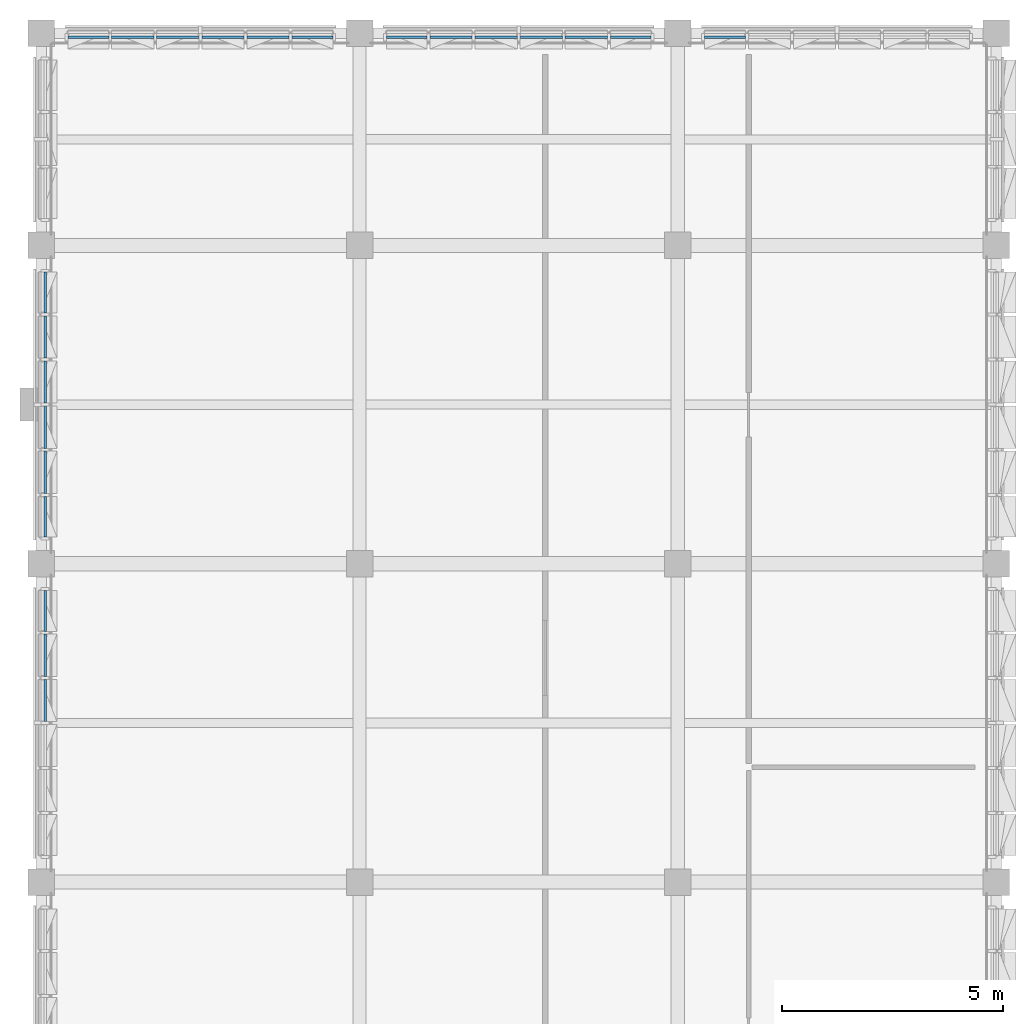
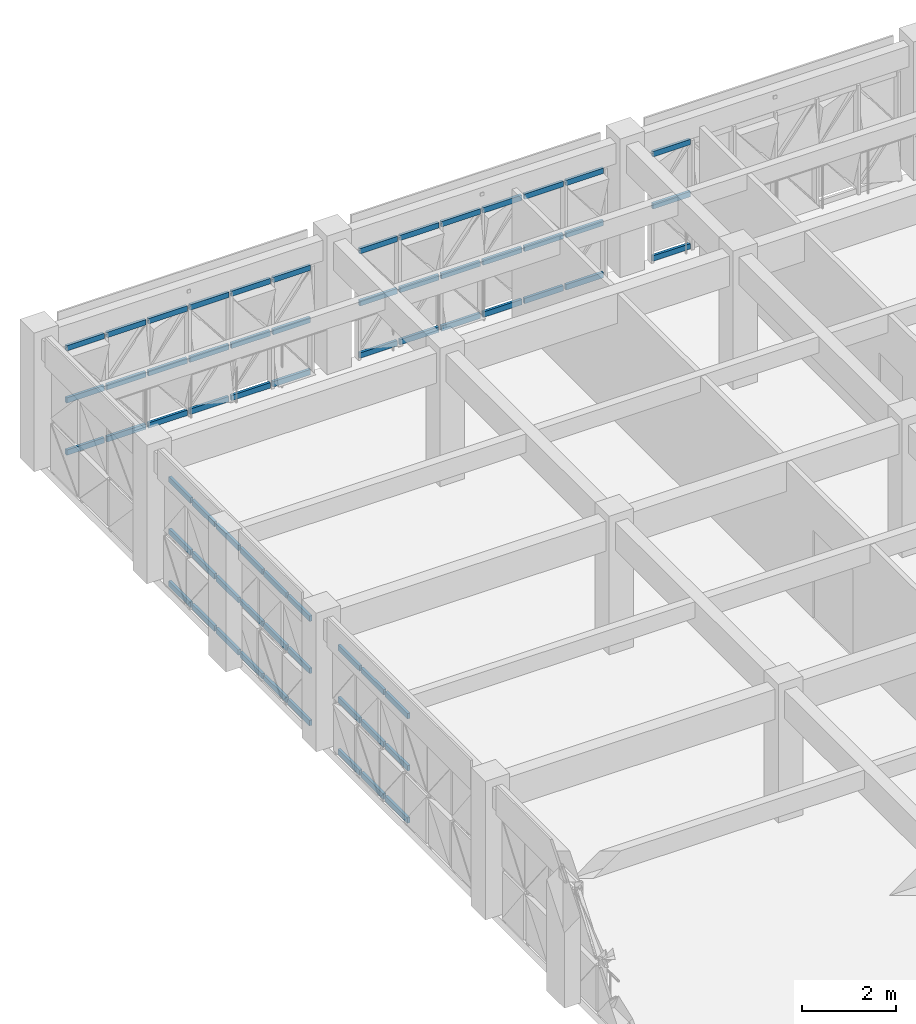
# One storey, part 30 of 99: 66 members, 5 elements without a shape of their own.
"""IFC4 building model written with IfcOpenShell, lengths in metres."""

from ifc_helpers import new_model, si_unit, direction, frame, origin, origin_2d, place, context, subcontext, project, spatial, rectangle, extrude, material, material_profile, profile_set, type_object, element, aggregate, save


model = new_model("IFC4")

# Units and contexts
model_context = context("Model", 3, precision=1e-05, world=origin(), true_north=direction((0.0, 1.0)))
body_context = subcontext(model_context, "Body", "Model", "MODEL_VIEW")
ifc_project = project(units=[si_unit("LENGTHUNIT", "METRE"), si_unit("AREAUNIT", "SQUARE_METRE"), si_unit("VOLUMEUNIT", "CUBIC_METRE"), si_unit("PLANEANGLEUNIT", "RADIAN"), si_unit("MASSUNIT", "GRAM", prefix="KILO")], contexts=[model_context])

# Site, building, storey
site_placement = place(None, origin())
site = spatial("IfcSite", under=ifc_project, at=site_placement, CompositionType="ELEMENT")
building_placement = place(site_placement, origin())
building = spatial("IfcBuilding", under=site, at=building_placement, Name="Alvorim Cloister Faculty of Sciences", CompositionType="ELEMENT")
storey_placement = place(building_placement, frame((0.0, 0.0, 12.14990234375)))
storey = spatial("IfcBuildingStorey", under=building, at=storey_placement, Name="L03", CompositionType="ELEMENT", Elevation=12.14990234375)

# Curtain wall, members
ifc_material_1 = material(Name="Aluminium and Low-E Glass Curtain Wall", Category="aluminium")
curtain_wall_type = type_object("IfcCurtainWallType", Name="CW-TRI-6120x2850", PredefinedType="USERDEFINED", material=ifc_material_1)
curtain_wall_1_placement = place(storey_placement, origin())
curtain_wall_1 = element("IfcCurtainWall", 1, at=curtain_wall_1_placement, inside=storey, type_object=curtain_wall_type, Name="L03 Diagonal Cassette Curtain Wall CW-0111", ObjectType="UNITISED CURTAIN WALL", PredefinedType="USERDEFINED")
ifc_material_2 = material(Name="Aluminium Alloy 6063-T6", Category="aluminium")
ifc_material_profile = material_profile(ifc_material_2, rectangle(XDim=0.06494140625, YDim=0.139892578125, at=origin_2d()), Name="ALU-TRN-65x140")
ifc_profile_set = profile_set([ifc_material_profile], Name="Aluminium Alloy 6063-T6")
member_type = type_object("IfcMemberType", Name="CW-TRN-65x140", PredefinedType="USERDEFINED", material=ifc_profile_set)
member_1_placement = place(storey_placement, frame((0.090087890625, 96.032470703125, 0.070068359375), z_axis=(0.0, 1.0, 0.0), x_axis=(-1.0, 0.0, 0.0)))
member_1 = element("IfcMember", 2, at=member_1_placement, type_object=member_type, Name="CW-0111 Transom 4.1", ObjectType="TRANSOM", PredefinedType="USERDEFINED", context=body_context, shape_type="SweptSolid", body=[
    extrude(rectangle(XDim=0.06494140625, YDim=0.139892578125, at=origin_2d()), origin(), (0.0, 0.0, 1.0), 0.955078125),
])
member_2_placement = place(storey_placement, frame((0.090087890625, 96.032470703125, 1.425048828125), z_axis=(0.0, 1.0, 0.0), x_axis=(-1.0, 0.0, 0.0)))
member_2 = element("IfcMember", 3, at=member_2_placement, type_object=member_type, Name="CW-0111 Transom 4.2", ObjectType="TRANSOM", PredefinedType="USERDEFINED", context=body_context, shape_type="SweptSolid", body=[
    extrude(rectangle(XDim=0.06494140625, YDim=0.139892578125, at=origin_2d()), origin(), (0.0, 0.0, 1.0), 0.955078125),
])
member_3_placement = place(storey_placement, frame((0.090087890625, 96.032470703125, 2.780029296875), z_axis=(0.0, 1.0, 0.0), x_axis=(-1.0, 0.0, 0.0)))
member_3 = element("IfcMember", 4, at=member_3_placement, type_object=member_type, Name="CW-0111 Transom 4.3", ObjectType="TRANSOM", PredefinedType="USERDEFINED", context=body_context, shape_type="SweptSolid", body=[
    extrude(rectangle(XDim=0.06494140625, YDim=0.139892578125, at=origin_2d()), origin(), (0.0, 0.0, 1.0), 0.955078125),
])
member_4_placement = place(storey_placement, frame((0.090087890625, 97.052490234375, 0.070068359375), z_axis=(0.0, 1.0, 0.0), x_axis=(-1.0, 0.0, 0.0)))
member_4 = element("IfcMember", 5, at=member_4_placement, type_object=member_type, Name="CW-0111 Transom 5.1", ObjectType="TRANSOM", PredefinedType="USERDEFINED", context=body_context, shape_type="SweptSolid", body=[
    extrude(rectangle(XDim=0.06494140625, YDim=0.139892578125, at=origin_2d()), origin(), (0.0, 0.0, 1.0), 0.955078125),
])
member_5_placement = place(storey_placement, frame((0.090087890625, 97.052490234375, 1.425048828125), z_axis=(0.0, 1.0, 0.0), x_axis=(-1.0, 0.0, 0.0)))
member_5 = element("IfcMember", 6, at=member_5_placement, type_object=member_type, Name="CW-0111 Transom 5.2", ObjectType="TRANSOM", PredefinedType="USERDEFINED", context=body_context, shape_type="SweptSolid", body=[
    extrude(rectangle(XDim=0.06494140625, YDim=0.139892578125, at=origin_2d()), origin(), (0.0, 0.0, 1.0), 0.955078125),
])
member_6_placement = place(storey_placement, frame((0.090087890625, 97.052490234375, 2.780029296875), z_axis=(0.0, 1.0, 0.0), x_axis=(-1.0, 0.0, 0.0)))
member_6 = element("IfcMember", 7, at=member_6_placement, type_object=member_type, Name="CW-0111 Transom 5.3", ObjectType="TRANSOM", PredefinedType="USERDEFINED", context=body_context, shape_type="SweptSolid", body=[
    extrude(rectangle(XDim=0.06494140625, YDim=0.139892578125, at=origin_2d()), origin(), (0.0, 0.0, 1.0), 0.955078125),
])
member_7_placement = place(storey_placement, frame((0.090087890625, 98.072509765625, 0.070068359375), z_axis=(0.0, 1.0, 0.0), x_axis=(-1.0, 0.0, 0.0)))
member_7 = element("IfcMember", 8, at=member_7_placement, type_object=member_type, Name="CW-0111 Transom 6.1", ObjectType="TRANSOM", PredefinedType="USERDEFINED", context=body_context, shape_type="SweptSolid", body=[
    extrude(rectangle(XDim=0.06494140625, YDim=0.139892578125, at=origin_2d()), origin(), (0.0, 0.0, 1.0), 0.922607421875),
])
member_8_placement = place(storey_placement, frame((0.090087890625, 98.072509765625, 1.425048828125), z_axis=(0.0, 1.0, 0.0), x_axis=(-1.0, 0.0, 0.0)))
member_8 = element("IfcMember", 9, at=member_8_placement, type_object=member_type, Name="CW-0111 Transom 6.2", ObjectType="TRANSOM", PredefinedType="USERDEFINED", context=body_context, shape_type="SweptSolid", body=[
    extrude(rectangle(XDim=0.06494140625, YDim=0.139892578125, at=origin_2d()), origin(), (0.0, 0.0, 1.0), 0.922607421875),
])
member_9_placement = place(storey_placement, frame((0.090087890625, 98.072509765625, 2.780029296875), z_axis=(0.0, 1.0, 0.0), x_axis=(-1.0, 0.0, 0.0)))
member_9 = element("IfcMember", 10, at=member_9_placement, type_object=member_type, Name="CW-0111 Transom 6.3", ObjectType="TRANSOM", PredefinedType="USERDEFINED", context=body_context, shape_type="SweptSolid", body=[
    extrude(rectangle(XDim=0.06494140625, YDim=0.139892578125, at=origin_2d()), origin(), (0.0, 0.0, 1.0), 0.922607421875),
])
aggregate(curtain_wall_1, [member_1, member_2, member_3, member_4, member_5, member_6, member_7, member_8, member_9])

curtain_wall_2_placement = place(storey_placement, origin())
curtain_wall_2 = element("IfcCurtainWall", 11, at=curtain_wall_2_placement, inside=storey, type_object=curtain_wall_type, Name="L03 Diagonal Cassette Curtain Wall CW-0112", ObjectType="UNITISED CURTAIN WALL", PredefinedType="USERDEFINED")
member_10_placement = place(storey_placement, frame((0.090087890625, 100.205078125, 0.070068359375), z_axis=(0.0, 1.0, 0.0), x_axis=(-1.0, 0.0, 0.0)))
member_10 = element("IfcMember", 12, at=member_10_placement, type_object=member_type, Name="CW-0112 Transom 1.1", ObjectType="TRANSOM", PredefinedType="USERDEFINED", context=body_context, shape_type="SweptSolid", body=[
    extrude(rectangle(XDim=0.06494140625, YDim=0.139892578125, at=origin_2d()), origin(), (0.0, 0.0, 1.0), 0.92236328125),
])
member_11_placement = place(storey_placement, frame((0.090087890625, 100.205078125, 1.425048828125), z_axis=(0.0, 1.0, 0.0), x_axis=(-1.0, 0.0, 0.0)))
member_11 = element("IfcMember", 13, at=member_11_placement, type_object=member_type, Name="CW-0112 Transom 1.2", ObjectType="TRANSOM", PredefinedType="USERDEFINED", context=body_context, shape_type="SweptSolid", body=[
    extrude(rectangle(XDim=0.06494140625, YDim=0.139892578125, at=origin_2d()), origin(), (0.0, 0.0, 1.0), 0.92236328125),
])
member_12_placement = place(storey_placement, frame((0.090087890625, 100.205078125, 2.780029296875), z_axis=(0.0, 1.0, 0.0), x_axis=(-1.0, 0.0, 0.0)))
member_12 = element("IfcMember", 14, at=member_12_placement, type_object=member_type, Name="CW-0112 Transom 1.3", ObjectType="TRANSOM", PredefinedType="USERDEFINED", context=body_context, shape_type="SweptSolid", body=[
    extrude(rectangle(XDim=0.06494140625, YDim=0.139892578125, at=origin_2d()), origin(), (0.0, 0.0, 1.0), 0.92236328125),
])
member_13_placement = place(storey_placement, frame((0.090087890625, 101.1923828125, 0.070068359375), z_axis=(0.0, 1.0, 0.0), x_axis=(-1.0, 0.0, 0.0)))
member_13 = element("IfcMember", 15, at=member_13_placement, type_object=member_type, Name="CW-0112 Transom 2.1", ObjectType="TRANSOM", PredefinedType="USERDEFINED", context=body_context, shape_type="SweptSolid", body=[
    extrude(rectangle(XDim=0.06494140625, YDim=0.139892578125, at=origin_2d()), origin(), (0.0, 0.0, 1.0), 0.955078125),
])
member_14_placement = place(storey_placement, frame((0.090087890625, 101.1923828125, 1.425048828125), z_axis=(0.0, 1.0, 0.0), x_axis=(-1.0, 0.0, 0.0)))
member_14 = element("IfcMember", 16, at=member_14_placement, type_object=member_type, Name="CW-0112 Transom 2.2", ObjectType="TRANSOM", PredefinedType="USERDEFINED", context=body_context, shape_type="SweptSolid", body=[
    extrude(rectangle(XDim=0.06494140625, YDim=0.139892578125, at=origin_2d()), origin(), (0.0, 0.0, 1.0), 0.955078125),
])
member_15_placement = place(storey_placement, frame((0.090087890625, 101.1923828125, 2.780029296875), z_axis=(0.0, 1.0, 0.0), x_axis=(-1.0, 0.0, 0.0)))
member_15 = element("IfcMember", 17, at=member_15_placement, type_object=member_type, Name="CW-0112 Transom 2.3", ObjectType="TRANSOM", PredefinedType="USERDEFINED", context=body_context, shape_type="SweptSolid", body=[
    extrude(rectangle(XDim=0.06494140625, YDim=0.139892578125, at=origin_2d()), origin(), (0.0, 0.0, 1.0), 0.955078125),
])
member_16_placement = place(storey_placement, frame((0.090087890625, 102.21240234375, 0.070068359375), z_axis=(0.0, 1.0, 0.0), x_axis=(-1.0, 0.0, 0.0)))
member_16 = element("IfcMember", 18, at=member_16_placement, type_object=member_type, Name="CW-0112 Transom 3.1", ObjectType="TRANSOM", PredefinedType="USERDEFINED", context=body_context, shape_type="SweptSolid", body=[
    extrude(rectangle(XDim=0.06494140625, YDim=0.139892578125, at=origin_2d()), origin(), (0.0, 0.0, 1.0), 0.955078125),
])
member_17_placement = place(storey_placement, frame((0.090087890625, 102.21240234375, 1.425048828125), z_axis=(0.0, 1.0, 0.0), x_axis=(-1.0, 0.0, 0.0)))
member_17 = element("IfcMember", 19, at=member_17_placement, type_object=member_type, Name="CW-0112 Transom 3.2", ObjectType="TRANSOM", PredefinedType="USERDEFINED", context=body_context, shape_type="SweptSolid", body=[
    extrude(rectangle(XDim=0.06494140625, YDim=0.139892578125, at=origin_2d()), origin(), (0.0, 0.0, 1.0), 0.955078125),
])
member_18_placement = place(storey_placement, frame((0.090087890625, 102.21240234375, 2.780029296875), z_axis=(0.0, 1.0, 0.0), x_axis=(-1.0, 0.0, 0.0)))
member_18 = element("IfcMember", 20, at=member_18_placement, type_object=member_type, Name="CW-0112 Transom 3.3", ObjectType="TRANSOM", PredefinedType="USERDEFINED", context=body_context, shape_type="SweptSolid", body=[
    extrude(rectangle(XDim=0.06494140625, YDim=0.139892578125, at=origin_2d()), origin(), (0.0, 0.0, 1.0), 0.955078125),
])
member_19_placement = place(storey_placement, frame((0.090087890625, 103.232421875, 0.070068359375), z_axis=(0.0, 1.0, 0.0), x_axis=(-1.0, 0.0, 0.0)))
member_19 = element("IfcMember", 21, at=member_19_placement, type_object=member_type, Name="CW-0112 Transom 4.1", ObjectType="TRANSOM", PredefinedType="USERDEFINED", context=body_context, shape_type="SweptSolid", body=[
    extrude(rectangle(XDim=0.06494140625, YDim=0.139892578125, at=origin_2d()), origin(), (0.0, 0.0, 1.0), 0.955078125),
])
member_20_placement = place(storey_placement, frame((0.090087890625, 103.232421875, 1.425048828125), z_axis=(0.0, 1.0, 0.0), x_axis=(-1.0, 0.0, 0.0)))
member_20 = element("IfcMember", 22, at=member_20_placement, type_object=member_type, Name="CW-0112 Transom 4.2", ObjectType="TRANSOM", PredefinedType="USERDEFINED", context=body_context, shape_type="SweptSolid", body=[
    extrude(rectangle(XDim=0.06494140625, YDim=0.139892578125, at=origin_2d()), origin(), (0.0, 0.0, 1.0), 0.955078125),
])
member_21_placement = place(storey_placement, frame((0.090087890625, 103.232421875, 2.780029296875), z_axis=(0.0, 1.0, 0.0), x_axis=(-1.0, 0.0, 0.0)))
member_21 = element("IfcMember", 23, at=member_21_placement, type_object=member_type, Name="CW-0112 Transom 4.3", ObjectType="TRANSOM", PredefinedType="USERDEFINED", context=body_context, shape_type="SweptSolid", body=[
    extrude(rectangle(XDim=0.06494140625, YDim=0.139892578125, at=origin_2d()), origin(), (0.0, 0.0, 1.0), 0.955078125),
])
member_22_placement = place(storey_placement, frame((0.090087890625, 104.25244140625, 0.070068359375), z_axis=(0.0, 1.0, 0.0), x_axis=(-1.0, 0.0, 0.0)))
member_22 = element("IfcMember", 24, at=member_22_placement, type_object=member_type, Name="CW-0112 Transom 5.1", ObjectType="TRANSOM", PredefinedType="USERDEFINED", context=body_context, shape_type="SweptSolid", body=[
    extrude(rectangle(XDim=0.06494140625, YDim=0.139892578125, at=origin_2d()), origin(), (0.0, 0.0, 1.0), 0.955078125),
])
member_23_placement = place(storey_placement, frame((0.090087890625, 104.25244140625, 1.425048828125), z_axis=(0.0, 1.0, 0.0), x_axis=(-1.0, 0.0, 0.0)))
member_23 = element("IfcMember", 25, at=member_23_placement, type_object=member_type, Name="CW-0112 Transom 5.2", ObjectType="TRANSOM", PredefinedType="USERDEFINED", context=body_context, shape_type="SweptSolid", body=[
    extrude(rectangle(XDim=0.06494140625, YDim=0.139892578125, at=origin_2d()), origin(), (0.0, 0.0, 1.0), 0.955078125),
])
member_24_placement = place(storey_placement, frame((0.090087890625, 104.25244140625, 2.780029296875), z_axis=(0.0, 1.0, 0.0), x_axis=(-1.0, 0.0, 0.0)))
member_24 = element("IfcMember", 26, at=member_24_placement, type_object=member_type, Name="CW-0112 Transom 5.3", ObjectType="TRANSOM", PredefinedType="USERDEFINED", context=body_context, shape_type="SweptSolid", body=[
    extrude(rectangle(XDim=0.06494140625, YDim=0.139892578125, at=origin_2d()), origin(), (0.0, 0.0, 1.0), 0.955078125),
])
member_25_placement = place(storey_placement, frame((0.090087890625, 105.2724609375, 0.070068359375), z_axis=(0.0, 1.0, 0.0), x_axis=(-1.0, 0.0, 0.0)))
member_25 = element("IfcMember", 27, at=member_25_placement, type_object=member_type, Name="CW-0112 Transom 6.1", ObjectType="TRANSOM", PredefinedType="USERDEFINED", context=body_context, shape_type="SweptSolid", body=[
    extrude(rectangle(XDim=0.06494140625, YDim=0.139892578125, at=origin_2d()), origin(), (0.0, 0.0, 1.0), 0.922607421875),
])
member_26_placement = place(storey_placement, frame((0.090087890625, 105.2724609375, 1.425048828125), z_axis=(0.0, 1.0, 0.0), x_axis=(-1.0, 0.0, 0.0)))
member_26 = element("IfcMember", 28, at=member_26_placement, type_object=member_type, Name="CW-0112 Transom 6.2", ObjectType="TRANSOM", PredefinedType="USERDEFINED", context=body_context, shape_type="SweptSolid", body=[
    extrude(rectangle(XDim=0.06494140625, YDim=0.139892578125, at=origin_2d()), origin(), (0.0, 0.0, 1.0), 0.922607421875),
])
member_27_placement = place(storey_placement, frame((0.090087890625, 105.2724609375, 2.780029296875), z_axis=(0.0, 1.0, 0.0), x_axis=(-1.0, 0.0, 0.0)))
member_27 = element("IfcMember", 29, at=member_27_placement, type_object=member_type, Name="CW-0112 Transom 6.3", ObjectType="TRANSOM", PredefinedType="USERDEFINED", context=body_context, shape_type="SweptSolid", body=[
    extrude(rectangle(XDim=0.06494140625, YDim=0.139892578125, at=origin_2d()), origin(), (0.0, 0.0, 1.0), 0.922607421875),
])
aggregate(curtain_wall_2, [member_10, member_11, member_12, member_13, member_14, member_15, member_16, member_17, member_18, member_19, member_20, member_21, member_22, member_23, member_24, member_25, member_26, member_27])

curtain_wall_3_placement = place(storey_placement, origin())
curtain_wall_3 = element("IfcCurtainWall", 30, at=curtain_wall_3_placement, inside=storey, type_object=curtain_wall_type, Name="L03 Diagonal Cassette Curtain Wall CW-0114", ObjectType="UNITISED CURTAIN WALL", PredefinedType="USERDEFINED")
member_28_placement = place(storey_placement, frame((0.60498046875, 111.510009765625, 0.070068359375), z_axis=(1.0, 0.0, 0.0), x_axis=(0.0, 1.0, 0.0)))
member_28 = element("IfcMember", 31, at=member_28_placement, type_object=member_type, Name="CW-0114 Transom 1.1", ObjectType="TRANSOM", PredefinedType="USERDEFINED", context=body_context, shape_type="SweptSolid", body=[
    extrude(rectangle(XDim=0.06494140625, YDim=0.139892578125, at=origin_2d()), origin(), (0.0, 0.0, 1.0), 0.922607421875),
])
member_29_placement = place(storey_placement, frame((0.60498046875, 111.510009765625, 1.425048828125), z_axis=(1.0, 0.0, 0.0), x_axis=(0.0, 1.0, 0.0)))
member_29 = element("IfcMember", 32, at=member_29_placement, type_object=member_type, Name="CW-0114 Transom 1.2", ObjectType="TRANSOM", PredefinedType="USERDEFINED", context=body_context, shape_type="SweptSolid", body=[
    extrude(rectangle(XDim=0.06494140625, YDim=0.139892578125, at=origin_2d()), origin(), (0.0, 0.0, 1.0), 0.922607421875),
])
member_30_placement = place(storey_placement, frame((0.60498046875, 111.510009765625, 2.780029296875), z_axis=(1.0, 0.0, 0.0), x_axis=(0.0, 1.0, 0.0)))
member_30 = element("IfcMember", 33, at=member_30_placement, type_object=member_type, Name="CW-0114 Transom 1.3", ObjectType="TRANSOM", PredefinedType="USERDEFINED", context=body_context, shape_type="SweptSolid", body=[
    extrude(rectangle(XDim=0.06494140625, YDim=0.139892578125, at=origin_2d()), origin(), (0.0, 0.0, 1.0), 0.922607421875),
])
member_31_placement = place(storey_placement, frame((1.592529296875, 111.510009765625, 0.070068359375), z_axis=(1.0, 0.0, 0.0), x_axis=(0.0, 1.0, 0.0)))
member_31 = element("IfcMember", 34, at=member_31_placement, type_object=member_type, Name="CW-0114 Transom 2.1", ObjectType="TRANSOM", PredefinedType="USERDEFINED", context=body_context, shape_type="SweptSolid", body=[
    extrude(rectangle(XDim=0.06494140625, YDim=0.139892578125, at=origin_2d()), origin(), (0.0, 0.0, 1.0), 0.955078125),
])
member_32_placement = place(storey_placement, frame((1.592529296875, 111.510009765625, 1.425048828125), z_axis=(1.0, 0.0, 0.0), x_axis=(0.0, 1.0, 0.0)))
member_32 = element("IfcMember", 35, at=member_32_placement, type_object=member_type, Name="CW-0114 Transom 2.2", ObjectType="TRANSOM", PredefinedType="USERDEFINED", context=body_context, shape_type="SweptSolid", body=[
    extrude(rectangle(XDim=0.06494140625, YDim=0.139892578125, at=origin_2d()), origin(), (0.0, 0.0, 1.0), 0.955078125),
])
member_33_placement = place(storey_placement, frame((1.592529296875, 111.510009765625, 2.780029296875), z_axis=(1.0, 0.0, 0.0), x_axis=(0.0, 1.0, 0.0)))
member_33 = element("IfcMember", 36, at=member_33_placement, type_object=member_type, Name="CW-0114 Transom 2.3", ObjectType="TRANSOM", PredefinedType="USERDEFINED", context=body_context, shape_type="SweptSolid", body=[
    extrude(rectangle(XDim=0.06494140625, YDim=0.139892578125, at=origin_2d()), origin(), (0.0, 0.0, 1.0), 0.955078125),
])
member_34_placement = place(storey_placement, frame((2.612548828125, 111.510009765625, 0.070068359375), z_axis=(1.0, 0.0, 0.0), x_axis=(0.0, 1.0, 0.0)))
member_34 = element("IfcMember", 37, at=member_34_placement, type_object=member_type, Name="CW-0114 Transom 3.1", ObjectType="TRANSOM", PredefinedType="USERDEFINED", context=body_context, shape_type="SweptSolid", body=[
    extrude(rectangle(XDim=0.06494140625, YDim=0.139892578125, at=origin_2d()), origin(), (0.0, 0.0, 1.0), 0.954833984375),
])
member_35_placement = place(storey_placement, frame((2.612548828125, 111.510009765625, 1.425048828125), z_axis=(1.0, 0.0, 0.0), x_axis=(0.0, 1.0, 0.0)))
member_35 = element("IfcMember", 38, at=member_35_placement, type_object=member_type, Name="CW-0114 Transom 3.2", ObjectType="TRANSOM", PredefinedType="USERDEFINED", context=body_context, shape_type="SweptSolid", body=[
    extrude(rectangle(XDim=0.06494140625, YDim=0.139892578125, at=origin_2d()), origin(), (0.0, 0.0, 1.0), 0.954833984375),
])
member_36_placement = place(storey_placement, frame((2.612548828125, 111.510009765625, 2.780029296875), z_axis=(1.0, 0.0, 0.0), x_axis=(0.0, 1.0, 0.0)))
member_36 = element("IfcMember", 39, at=member_36_placement, type_object=member_type, Name="CW-0114 Transom 3.3", ObjectType="TRANSOM", PredefinedType="USERDEFINED", context=body_context, shape_type="SweptSolid", body=[
    extrude(rectangle(XDim=0.06494140625, YDim=0.139892578125, at=origin_2d()), origin(), (0.0, 0.0, 1.0), 0.954833984375),
])
member_37_placement = place(storey_placement, frame((3.632568359375, 111.510009765625, 0.070068359375), z_axis=(1.0, 0.0, 0.0), x_axis=(0.0, 1.0, 0.0)))
member_37 = element("IfcMember", 40, at=member_37_placement, type_object=member_type, Name="CW-0114 Transom 4.1", ObjectType="TRANSOM", PredefinedType="USERDEFINED", context=body_context, shape_type="SweptSolid", body=[
    extrude(rectangle(XDim=0.06494140625, YDim=0.139892578125, at=origin_2d()), origin(), (0.0, 0.0, 1.0), 0.954833984375),
])
member_38_placement = place(storey_placement, frame((3.632568359375, 111.510009765625, 1.425048828125), z_axis=(1.0, 0.0, 0.0), x_axis=(0.0, 1.0, 0.0)))
member_38 = element("IfcMember", 41, at=member_38_placement, type_object=member_type, Name="CW-0114 Transom 4.2", ObjectType="TRANSOM", PredefinedType="USERDEFINED", context=body_context, shape_type="SweptSolid", body=[
    extrude(rectangle(XDim=0.06494140625, YDim=0.139892578125, at=origin_2d()), origin(), (0.0, 0.0, 1.0), 0.954833984375),
])
member_39_placement = place(storey_placement, frame((3.632568359375, 111.510009765625, 2.780029296875), z_axis=(1.0, 0.0, 0.0), x_axis=(0.0, 1.0, 0.0)))
member_39 = element("IfcMember", 42, at=member_39_placement, type_object=member_type, Name="CW-0114 Transom 4.3", ObjectType="TRANSOM", PredefinedType="USERDEFINED", context=body_context, shape_type="SweptSolid", body=[
    extrude(rectangle(XDim=0.06494140625, YDim=0.139892578125, at=origin_2d()), origin(), (0.0, 0.0, 1.0), 0.954833984375),
])
member_40_placement = place(storey_placement, frame((4.652587890625, 111.510009765625, 0.070068359375), z_axis=(1.0, 0.0, 0.0), x_axis=(0.0, 1.0, 0.0)))
member_40 = element("IfcMember", 43, at=member_40_placement, type_object=member_type, Name="CW-0114 Transom 5.1", ObjectType="TRANSOM", PredefinedType="USERDEFINED", context=body_context, shape_type="SweptSolid", body=[
    extrude(rectangle(XDim=0.06494140625, YDim=0.139892578125, at=origin_2d()), origin(), (0.0, 0.0, 1.0), 0.954833984375),
])
member_41_placement = place(storey_placement, frame((4.652587890625, 111.510009765625, 1.425048828125), z_axis=(1.0, 0.0, 0.0), x_axis=(0.0, 1.0, 0.0)))
member_41 = element("IfcMember", 44, at=member_41_placement, type_object=member_type, Name="CW-0114 Transom 5.2", ObjectType="TRANSOM", PredefinedType="USERDEFINED", context=body_context, shape_type="SweptSolid", body=[
    extrude(rectangle(XDim=0.06494140625, YDim=0.139892578125, at=origin_2d()), origin(), (0.0, 0.0, 1.0), 0.954833984375),
])
member_42_placement = place(storey_placement, frame((4.652587890625, 111.510009765625, 2.780029296875), z_axis=(1.0, 0.0, 0.0), x_axis=(0.0, 1.0, 0.0)))
member_42 = element("IfcMember", 45, at=member_42_placement, type_object=member_type, Name="CW-0114 Transom 5.3", ObjectType="TRANSOM", PredefinedType="USERDEFINED", context=body_context, shape_type="SweptSolid", body=[
    extrude(rectangle(XDim=0.06494140625, YDim=0.139892578125, at=origin_2d()), origin(), (0.0, 0.0, 1.0), 0.954833984375),
])
member_43_placement = place(storey_placement, frame((5.672607421875, 111.510009765625, 0.070068359375), z_axis=(1.0, 0.0, 0.0), x_axis=(0.0, 1.0, 0.0)))
member_43 = element("IfcMember", 46, at=member_43_placement, type_object=member_type, Name="CW-0114 Transom 6.1", ObjectType="TRANSOM", PredefinedType="USERDEFINED", context=body_context, shape_type="SweptSolid", body=[
    extrude(rectangle(XDim=0.06494140625, YDim=0.139892578125, at=origin_2d()), origin(), (0.0, 0.0, 1.0), 0.92236328125),
])
member_44_placement = place(storey_placement, frame((5.672607421875, 111.510009765625, 1.425048828125), z_axis=(1.0, 0.0, 0.0), x_axis=(0.0, 1.0, 0.0)))
member_44 = element("IfcMember", 47, at=member_44_placement, type_object=member_type, Name="CW-0114 Transom 6.2", ObjectType="TRANSOM", PredefinedType="USERDEFINED", context=body_context, shape_type="SweptSolid", body=[
    extrude(rectangle(XDim=0.06494140625, YDim=0.139892578125, at=origin_2d()), origin(), (0.0, 0.0, 1.0), 0.92236328125),
])
member_45_placement = place(storey_placement, frame((5.672607421875, 111.510009765625, 2.780029296875), z_axis=(1.0, 0.0, 0.0), x_axis=(0.0, 1.0, 0.0)))
member_45 = element("IfcMember", 48, at=member_45_placement, type_object=member_type, Name="CW-0114 Transom 6.3", ObjectType="TRANSOM", PredefinedType="USERDEFINED", context=body_context, shape_type="SweptSolid", body=[
    extrude(rectangle(XDim=0.06494140625, YDim=0.139892578125, at=origin_2d()), origin(), (0.0, 0.0, 1.0), 0.92236328125),
])
aggregate(curtain_wall_3, [member_28, member_29, member_30, member_31, member_32, member_33, member_34, member_35, member_36, member_37, member_38, member_39, member_40, member_41, member_42, member_43, member_44, member_45])

curtain_wall_4_placement = place(storey_placement, origin())
curtain_wall_4 = element("IfcCurtainWall", 49, at=curtain_wall_4_placement, inside=storey, type_object=curtain_wall_type, Name="L03 Diagonal Cassette Curtain Wall CW-0115", ObjectType="UNITISED CURTAIN WALL", PredefinedType="USERDEFINED")
member_46_placement = place(storey_placement, frame((7.804931640625, 111.510009765625, 0.070068359375), z_axis=(1.0, 0.0, 0.0), x_axis=(0.0, 1.0, 0.0)))
member_46 = element("IfcMember", 50, at=member_46_placement, type_object=member_type, Name="CW-0115 Transom 1.1", ObjectType="TRANSOM", PredefinedType="USERDEFINED", context=body_context, shape_type="SweptSolid", body=[
    extrude(rectangle(XDim=0.06494140625, YDim=0.139892578125, at=origin_2d()), origin(), (0.0, 0.0, 1.0), 0.922607421875),
])
member_47_placement = place(storey_placement, frame((7.804931640625, 111.510009765625, 1.425048828125), z_axis=(1.0, 0.0, 0.0), x_axis=(0.0, 1.0, 0.0)))
member_47 = element("IfcMember", 51, at=member_47_placement, type_object=member_type, Name="CW-0115 Transom 1.2", ObjectType="TRANSOM", PredefinedType="USERDEFINED", context=body_context, shape_type="SweptSolid", body=[
    extrude(rectangle(XDim=0.06494140625, YDim=0.139892578125, at=origin_2d()), origin(), (0.0, 0.0, 1.0), 0.922607421875),
])
member_48_placement = place(storey_placement, frame((7.804931640625, 111.510009765625, 2.780029296875), z_axis=(1.0, 0.0, 0.0), x_axis=(0.0, 1.0, 0.0)))
member_48 = element("IfcMember", 52, at=member_48_placement, type_object=member_type, Name="CW-0115 Transom 1.3", ObjectType="TRANSOM", PredefinedType="USERDEFINED", context=body_context, shape_type="SweptSolid", body=[
    extrude(rectangle(XDim=0.06494140625, YDim=0.139892578125, at=origin_2d()), origin(), (0.0, 0.0, 1.0), 0.922607421875),
])
member_49_placement = place(storey_placement, frame((8.79248046875, 111.510009765625, 0.070068359375), z_axis=(1.0, 0.0, 0.0), x_axis=(0.0, 1.0, 0.0)))
member_49 = element("IfcMember", 53, at=member_49_placement, type_object=member_type, Name="CW-0115 Transom 2.1", ObjectType="TRANSOM", PredefinedType="USERDEFINED", context=body_context, shape_type="SweptSolid", body=[
    extrude(rectangle(XDim=0.06494140625, YDim=0.139892578125, at=origin_2d()), origin(), (0.0, 0.0, 1.0), 0.955078125),
])
member_50_placement = place(storey_placement, frame((8.79248046875, 111.510009765625, 1.425048828125), z_axis=(1.0, 0.0, 0.0), x_axis=(0.0, 1.0, 0.0)))
member_50 = element("IfcMember", 54, at=member_50_placement, type_object=member_type, Name="CW-0115 Transom 2.2", ObjectType="TRANSOM", PredefinedType="USERDEFINED", context=body_context, shape_type="SweptSolid", body=[
    extrude(rectangle(XDim=0.06494140625, YDim=0.139892578125, at=origin_2d()), origin(), (0.0, 0.0, 1.0), 0.955078125),
])
member_51_placement = place(storey_placement, frame((8.79248046875, 111.510009765625, 2.780029296875), z_axis=(1.0, 0.0, 0.0), x_axis=(0.0, 1.0, 0.0)))
member_51 = element("IfcMember", 55, at=member_51_placement, type_object=member_type, Name="CW-0115 Transom 2.3", ObjectType="TRANSOM", PredefinedType="USERDEFINED", context=body_context, shape_type="SweptSolid", body=[
    extrude(rectangle(XDim=0.06494140625, YDim=0.139892578125, at=origin_2d()), origin(), (0.0, 0.0, 1.0), 0.955078125),
])
member_52_placement = place(storey_placement, frame((9.8125, 111.510009765625, 0.070068359375), z_axis=(1.0, 0.0, 0.0), x_axis=(0.0, 1.0, 0.0)))
member_52 = element("IfcMember", 56, at=member_52_placement, type_object=member_type, Name="CW-0115 Transom 3.1", ObjectType="TRANSOM", PredefinedType="USERDEFINED", context=body_context, shape_type="SweptSolid", body=[
    extrude(rectangle(XDim=0.06494140625, YDim=0.139892578125, at=origin_2d()), origin(), (0.0, 0.0, 1.0), 0.955078125),
])
member_53_placement = place(storey_placement, frame((9.8125, 111.510009765625, 1.425048828125), z_axis=(1.0, 0.0, 0.0), x_axis=(0.0, 1.0, 0.0)))
member_53 = element("IfcMember", 57, at=member_53_placement, type_object=member_type, Name="CW-0115 Transom 3.2", ObjectType="TRANSOM", PredefinedType="USERDEFINED", context=body_context, shape_type="SweptSolid", body=[
    extrude(rectangle(XDim=0.06494140625, YDim=0.139892578125, at=origin_2d()), origin(), (0.0, 0.0, 1.0), 0.955078125),
])
member_54_placement = place(storey_placement, frame((9.8125, 111.510009765625, 2.780029296875), z_axis=(1.0, 0.0, 0.0), x_axis=(0.0, 1.0, 0.0)))
member_54 = element("IfcMember", 58, at=member_54_placement, type_object=member_type, Name="CW-0115 Transom 3.3", ObjectType="TRANSOM", PredefinedType="USERDEFINED", context=body_context, shape_type="SweptSolid", body=[
    extrude(rectangle(XDim=0.06494140625, YDim=0.139892578125, at=origin_2d()), origin(), (0.0, 0.0, 1.0), 0.955078125),
])
member_55_placement = place(storey_placement, frame((10.83251953125, 111.510009765625, 0.070068359375), z_axis=(1.0, 0.0, 0.0), x_axis=(0.0, 1.0, 0.0)))
member_55 = element("IfcMember", 59, at=member_55_placement, type_object=member_type, Name="CW-0115 Transom 4.1", ObjectType="TRANSOM", PredefinedType="USERDEFINED", context=body_context, shape_type="SweptSolid", body=[
    extrude(rectangle(XDim=0.06494140625, YDim=0.139892578125, at=origin_2d()), origin(), (0.0, 0.0, 1.0), 0.955078125),
])
member_56_placement = place(storey_placement, frame((10.83251953125, 111.510009765625, 1.425048828125), z_axis=(1.0, 0.0, 0.0), x_axis=(0.0, 1.0, 0.0)))
member_56 = element("IfcMember", 60, at=member_56_placement, type_object=member_type, Name="CW-0115 Transom 4.2", ObjectType="TRANSOM", PredefinedType="USERDEFINED", context=body_context, shape_type="SweptSolid", body=[
    extrude(rectangle(XDim=0.06494140625, YDim=0.139892578125, at=origin_2d()), origin(), (0.0, 0.0, 1.0), 0.955078125),
])
member_57_placement = place(storey_placement, frame((10.83251953125, 111.510009765625, 2.780029296875), z_axis=(1.0, 0.0, 0.0), x_axis=(0.0, 1.0, 0.0)))
member_57 = element("IfcMember", 61, at=member_57_placement, type_object=member_type, Name="CW-0115 Transom 4.3", ObjectType="TRANSOM", PredefinedType="USERDEFINED", context=body_context, shape_type="SweptSolid", body=[
    extrude(rectangle(XDim=0.06494140625, YDim=0.139892578125, at=origin_2d()), origin(), (0.0, 0.0, 1.0), 0.955078125),
])
member_58_placement = place(storey_placement, frame((11.8525390625, 111.510009765625, 0.070068359375), z_axis=(1.0, 0.0, 0.0), x_axis=(0.0, 1.0, 0.0)))
member_58 = element("IfcMember", 62, at=member_58_placement, type_object=member_type, Name="CW-0115 Transom 5.1", ObjectType="TRANSOM", PredefinedType="USERDEFINED", context=body_context, shape_type="SweptSolid", body=[
    extrude(rectangle(XDim=0.06494140625, YDim=0.139892578125, at=origin_2d()), origin(), (0.0, 0.0, 1.0), 0.955078125),
])
member_59_placement = place(storey_placement, frame((11.8525390625, 111.510009765625, 1.425048828125), z_axis=(1.0, 0.0, 0.0), x_axis=(0.0, 1.0, 0.0)))
member_59 = element("IfcMember", 63, at=member_59_placement, type_object=member_type, Name="CW-0115 Transom 5.2", ObjectType="TRANSOM", PredefinedType="USERDEFINED", context=body_context, shape_type="SweptSolid", body=[
    extrude(rectangle(XDim=0.06494140625, YDim=0.139892578125, at=origin_2d()), origin(), (0.0, 0.0, 1.0), 0.955078125),
])
member_60_placement = place(storey_placement, frame((11.8525390625, 111.510009765625, 2.780029296875), z_axis=(1.0, 0.0, 0.0), x_axis=(0.0, 1.0, 0.0)))
member_60 = element("IfcMember", 64, at=member_60_placement, type_object=member_type, Name="CW-0115 Transom 5.3", ObjectType="TRANSOM", PredefinedType="USERDEFINED", context=body_context, shape_type="SweptSolid", body=[
    extrude(rectangle(XDim=0.06494140625, YDim=0.139892578125, at=origin_2d()), origin(), (0.0, 0.0, 1.0), 0.955078125),
])
member_61_placement = place(storey_placement, frame((12.87255859375, 111.510009765625, 0.070068359375), z_axis=(1.0, 0.0, 0.0), x_axis=(0.0, 1.0, 0.0)))
member_61 = element("IfcMember", 65, at=member_61_placement, type_object=member_type, Name="CW-0115 Transom 6.1", ObjectType="TRANSOM", PredefinedType="USERDEFINED", context=body_context, shape_type="SweptSolid", body=[
    extrude(rectangle(XDim=0.06494140625, YDim=0.139892578125, at=origin_2d()), origin(), (0.0, 0.0, 1.0), 0.92236328125),
])
member_62_placement = place(storey_placement, frame((12.87255859375, 111.510009765625, 1.425048828125), z_axis=(1.0, 0.0, 0.0), x_axis=(0.0, 1.0, 0.0)))
member_62 = element("IfcMember", 66, at=member_62_placement, type_object=member_type, Name="CW-0115 Transom 6.2", ObjectType="TRANSOM", PredefinedType="USERDEFINED", context=body_context, shape_type="SweptSolid", body=[
    extrude(rectangle(XDim=0.06494140625, YDim=0.139892578125, at=origin_2d()), origin(), (0.0, 0.0, 1.0), 0.92236328125),
])
member_63_placement = place(storey_placement, frame((12.87255859375, 111.510009765625, 2.780029296875), z_axis=(1.0, 0.0, 0.0), x_axis=(0.0, 1.0, 0.0)))
member_63 = element("IfcMember", 67, at=member_63_placement, type_object=member_type, Name="CW-0115 Transom 6.3", ObjectType="TRANSOM", PredefinedType="USERDEFINED", context=body_context, shape_type="SweptSolid", body=[
    extrude(rectangle(XDim=0.06494140625, YDim=0.139892578125, at=origin_2d()), origin(), (0.0, 0.0, 1.0), 0.92236328125),
])
aggregate(curtain_wall_4, [member_46, member_47, member_48, member_49, member_50, member_51, member_52, member_53, member_54, member_55, member_56, member_57, member_58, member_59, member_60, member_61, member_62, member_63])

curtain_wall_5_placement = place(storey_placement, origin())
curtain_wall_5 = element("IfcCurtainWall", 68, at=curtain_wall_5_placement, inside=storey, type_object=curtain_wall_type, Name="L03 Diagonal Cassette Curtain Wall CW-0116", ObjectType="UNITISED CURTAIN WALL", PredefinedType="USERDEFINED")
member_64_placement = place(storey_placement, frame((15.0048828125, 111.510009765625, 0.070068359375), z_axis=(1.0, 0.0, 0.0), x_axis=(0.0, 1.0, 0.0)))
member_64 = element("IfcMember", 69, at=member_64_placement, type_object=member_type, Name="CW-0116 Transom 1.1", ObjectType="TRANSOM", PredefinedType="USERDEFINED", context=body_context, shape_type="SweptSolid", body=[
    extrude(rectangle(XDim=0.06494140625, YDim=0.139892578125, at=origin_2d()), origin(), (0.0, 0.0, 1.0), 0.922607421875),
])
member_65_placement = place(storey_placement, frame((15.0048828125, 111.510009765625, 1.425048828125), z_axis=(1.0, 0.0, 0.0), x_axis=(0.0, 1.0, 0.0)))
member_65 = element("IfcMember", 70, at=member_65_placement, type_object=member_type, Name="CW-0116 Transom 1.2", ObjectType="TRANSOM", PredefinedType="USERDEFINED", context=body_context, shape_type="SweptSolid", body=[
    extrude(rectangle(XDim=0.06494140625, YDim=0.139892578125, at=origin_2d()), origin(), (0.0, 0.0, 1.0), 0.922607421875),
])
member_66_placement = place(storey_placement, frame((15.0048828125, 111.510009765625, 2.780029296875), z_axis=(1.0, 0.0, 0.0), x_axis=(0.0, 1.0, 0.0)))
member_66 = element("IfcMember", 71, at=member_66_placement, type_object=member_type, Name="CW-0116 Transom 1.3", ObjectType="TRANSOM", PredefinedType="USERDEFINED", context=body_context, shape_type="SweptSolid", body=[
    extrude(rectangle(XDim=0.06494140625, YDim=0.139892578125, at=origin_2d()), origin(), (0.0, 0.0, 1.0), 0.922607421875),
])
aggregate(curtain_wall_5, [member_64, member_65, member_66])

save(model, "model.ifc")
